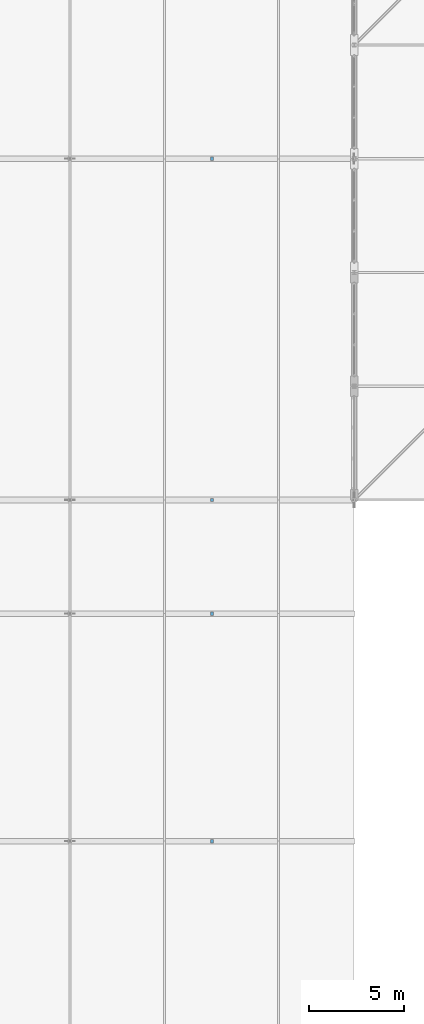
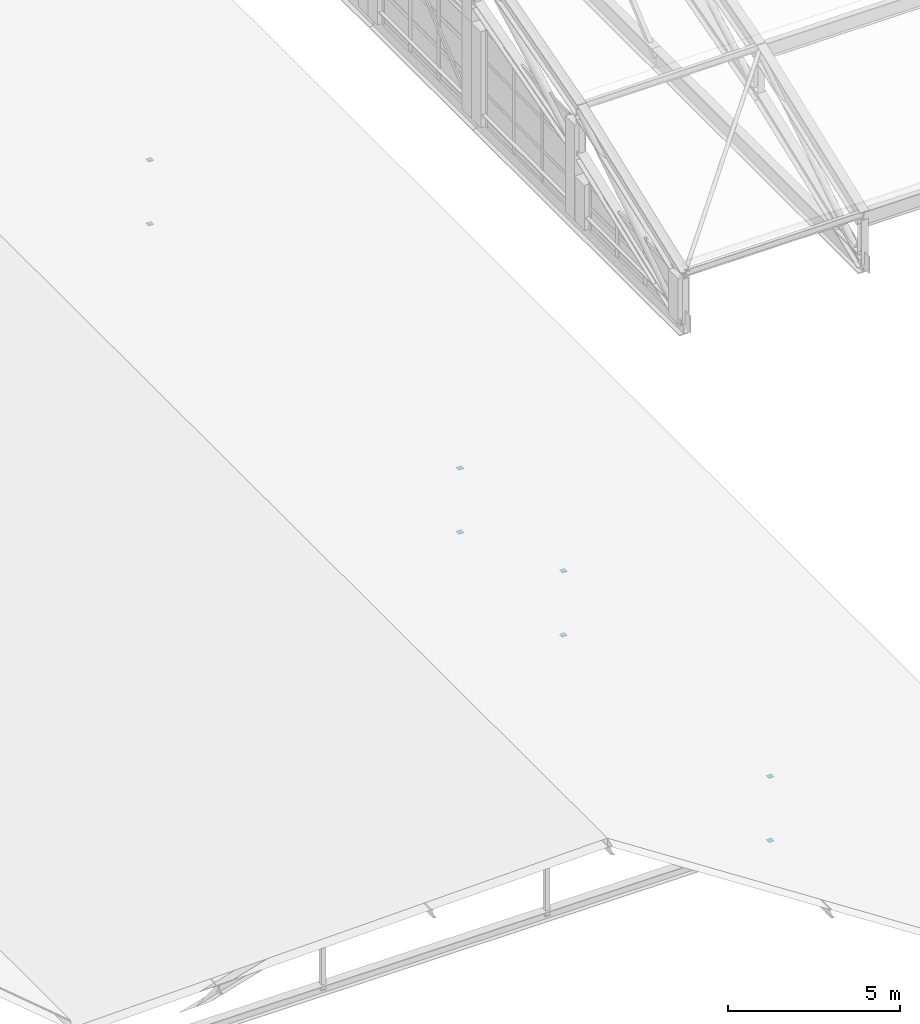
# One storey, part 201 of 204: 8 discrete accessories.
"""IFC4 building model written with IfcOpenShell, lengths in metres."""

from ifc_helpers import new_model, si_unit, direction, frame, origin, origin_2d, place, context, subcontext, project, spatial, rectangle, extrude, material, layer, layer_set, type_object, element, save


model = new_model("IFC4")

# Units and contexts
model_context = context("Model", 3, precision=1e-05, world=origin(), true_north=direction((0.0, 1.0)))
body_context = subcontext(model_context, "Body", "Model", "MODEL_VIEW")
ifc_project = project(units=[si_unit("LENGTHUNIT", "METRE"), si_unit("AREAUNIT", "SQUARE_METRE"), si_unit("VOLUMEUNIT", "CUBIC_METRE"), si_unit("PLANEANGLEUNIT", "RADIAN"), si_unit("MASSUNIT", "GRAM", prefix="KILO")], contexts=[model_context])

# Site, building, storey
site_placement = place(None, origin())
site = spatial("IfcSite", under=ifc_project, at=site_placement, CompositionType="ELEMENT")
building_placement = place(site_placement, origin())
building = spatial("IfcBuilding", under=site, at=building_placement, Name="Zilviju Railside Exhibition Hall", CompositionType="ELEMENT")
storey_placement = place(building_placement, frame((0.0, 0.0, 21.0)))
storey = spatial("IfcBuildingStorey", under=building, at=storey_placement, Name="RF", CompositionType="ELEMENT", Elevation=21.0)

# Discrete accessories
ifc_material = material(Name="Steel S355ML", Category="steel")
ifc_layer = layer(ifc_material, 0.02001953125)
ifc_layer_set = layer_set([ifc_layer], Name="Steel S355ML")
discrete_accessory_type = type_object("IfcDiscreteAccessoryType", Name="ACC-CAP-20", PredefinedType="BRACKET", material=ifc_layer_set)
for number, where, z_axis, x_axis, name in (
    (1, (70.5, 66.0, -8.419921875), (0.0, 0.0, 1.0), (1.0, 0.0, 0.0), "SHS Post End Seal Cap BOT 23"),
    (2, (70.5, 66.0, -6.14990234375), (0.0, 0.0, 1.0), (1.0, 0.0, 0.0), "SHS Post End Seal Cap TOP 24"),
    (3, (70.5, 78.0, -8.419921875), (0.0, 0.0, 1.0), (1.0, 0.0, 0.0), "SHS Post End Seal Cap BOT 29"),
    (4, (70.5, 78.0, -6.14990234375), (0.0, 0.0, 1.0), (1.0, 0.0, 0.0), "SHS Post End Seal Cap TOP 30"),
    (5, (70.5, 84.0, -8.419921875), (0.0, 0.0, 1.0), (1.0, 0.0, 0.0), "SHS Post End Seal Cap BOT 35"),
    (6, (70.5, 84.0, -6.14990234375), (0.0, 0.0, 1.0), (1.0, 0.0, 0.0), "SHS Post End Seal Cap TOP 36"),
    (7, (70.5, 102.0, -8.419921875), (0.0, 0.0, 1.0), (1.0, 0.0, 0.0), "SHS Post End Seal Cap BOT 41"),
    (8, (70.5, 102.0, -6.14990234375), (0.0, 0.0, 1.0), (1.0, 0.0, 0.0), "SHS Post End Seal Cap TOP 42"),
):
    element("IfcDiscreteAccessory", number, at=place(storey_placement, frame(where, z_axis=z_axis, x_axis=x_axis)), inside=storey, type_object=discrete_accessory_type, Name=name, PredefinedType="BRACKET", context=body_context, shape_type="SweptSolid", body=[
        extrude(rectangle(XDim=0.169921875, YDim=0.169921875, at=origin_2d()), origin(), (0.0, 0.0, 1.0), 0.02001953125),
    ])

save(model, "model.ifc")
